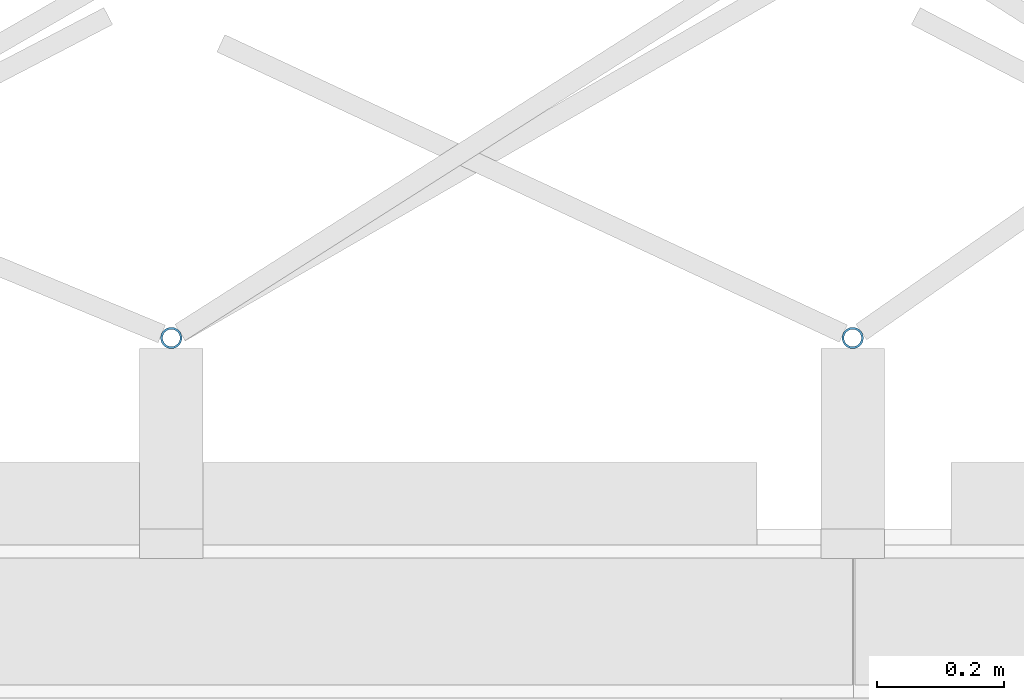
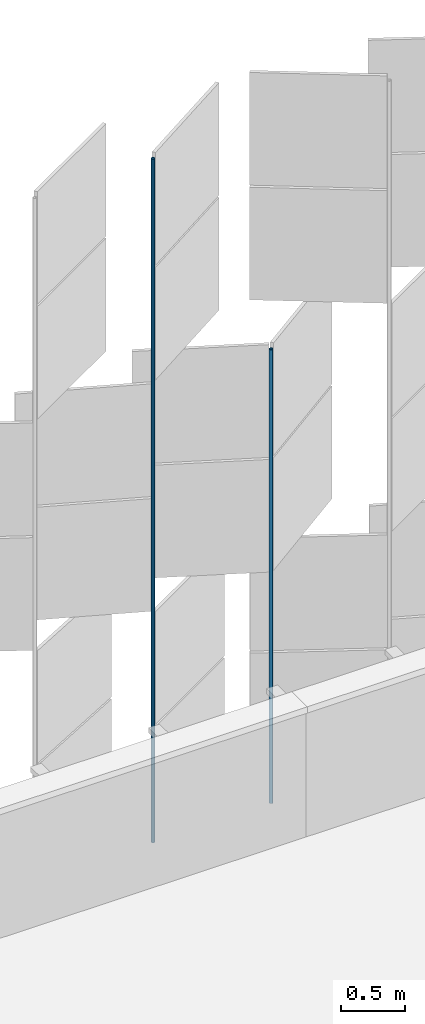
# One storey, part 365 of 483: 2 discrete accessories.
"""IFC4 building model written with IfcOpenShell, lengths in metres."""

from ifc_helpers import new_model, si_unit, direction, frame, origin, origin_2d, place, context, subcontext, project, spatial, hollow_circle, extrude, material, material_profile, profile_set, type_object, element, save


model = new_model("IFC4")

# Units and contexts
model_context = context("Model", 3, precision=1e-05, world=origin(), true_north=direction((0.0, 1.0)))
body_context = subcontext(model_context, "Body", "Model", "MODEL_VIEW")
ifc_project = project(units=[si_unit("LENGTHUNIT", "METRE"), si_unit("AREAUNIT", "SQUARE_METRE"), si_unit("VOLUMEUNIT", "CUBIC_METRE"), si_unit("PLANEANGLEUNIT", "RADIAN"), si_unit("MASSUNIT", "GRAM", prefix="KILO")], contexts=[model_context])

# Site, building, storey
site_placement = place(None, origin())
site = spatial("IfcSite", under=ifc_project, at=site_placement, CompositionType="ELEMENT")
building_placement = place(site_placement, origin())
building = spatial("IfcBuilding", under=site, at=building_placement, Name="Parallax Yard Mobility Hub", CompositionType="ELEMENT")
storey_placement = place(building_placement, frame((0.0, 0.0, 13.199951171875)))
storey = spatial("IfcBuildingStorey", under=building, at=storey_placement, Name="L04", CompositionType="ELEMENT", Elevation=13.199951171875)

# Discrete accessories
ifc_material = material(Name="Steel ASTM A500 Gr C, hot-dip galvanised", Category="steel")
ifc_material_profile = material_profile(ifc_material, hollow_circle(Radius=0.016845703125, WallThickness=0.003173828125, at=origin_2d()), Name="CHS 33.7x3.2")
ifc_profile_set = profile_set([ifc_material_profile], Name="Steel ASTM A500 Gr C, hot-dip galvanised")
discrete_accessory_type = type_object("IfcDiscreteAccessoryType", Name="Hinge post CHS 33.7x3.2", PredefinedType="BRACKET", material=ifc_profile_set)
discrete_accessory_1_placement = place(storey_placement, frame((142.498291015625, 142.800048828125, 0.0), z_axis=(0.0, 0.0, 1.0), x_axis=(1.0, 0.0, 0.0)))
element("IfcDiscreteAccessory", 1, at=discrete_accessory_1_placement, inside=storey, type_object=discrete_accessory_type, Name="Hinge post bay 55.1 level L04", PredefinedType="BRACKET", context=body_context, shape_type="SweptSolid", body=[
    extrude(hollow_circle(Radius=0.016845703125, WallThickness=0.003173828125, at=origin_2d()), origin(), (0.0, 0.0, 1.0), 4.35009765625),
])
discrete_accessory_2_placement = place(storey_placement, frame((141.4267578125, 142.800048828125, 0.0), z_axis=(0.0, 0.0, 1.0), x_axis=(1.0, 0.0, 0.0)))
element("IfcDiscreteAccessory", 2, at=discrete_accessory_2_placement, inside=storey, type_object=discrete_accessory_type, Name="Hinge post bay 55.2 level L04", PredefinedType="BRACKET", context=body_context, shape_type="SweptSolid", body=[
    extrude(hollow_circle(Radius=0.016845703125, WallThickness=0.003173828125, at=origin_2d()), origin(), (0.0, 0.0, 1.0), 6.550048828125),
])

save(model, "model.ifc")
